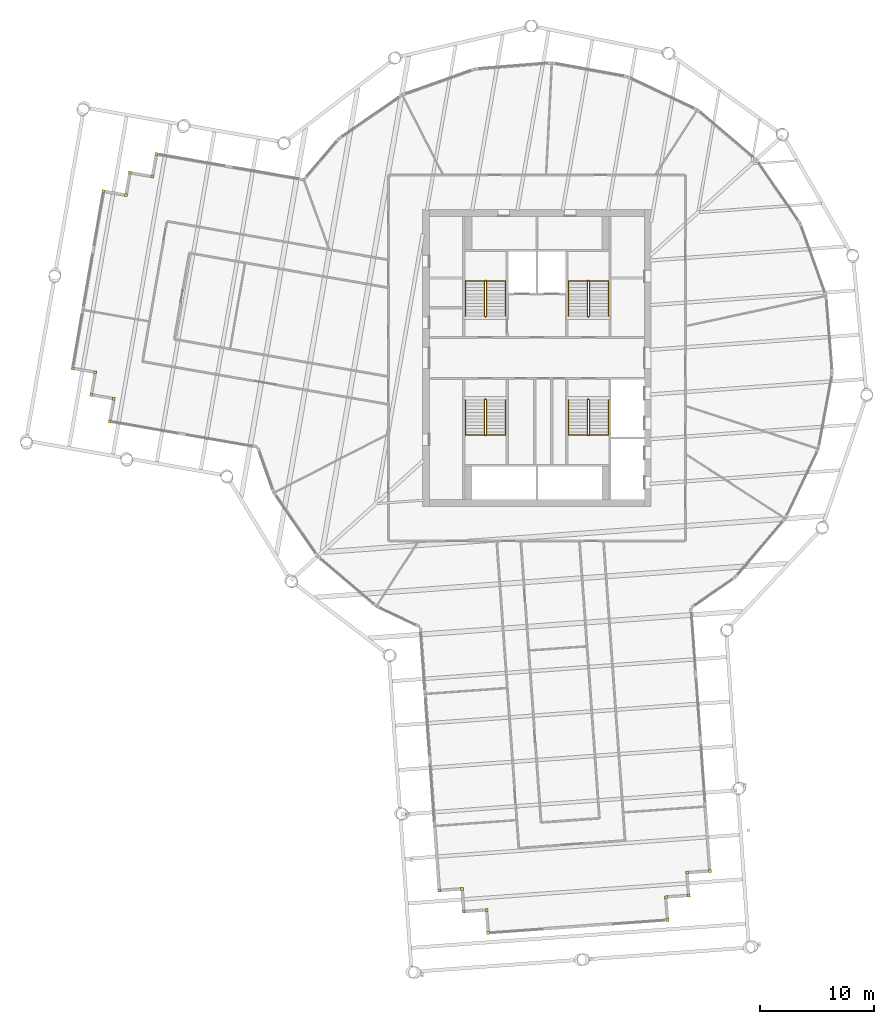
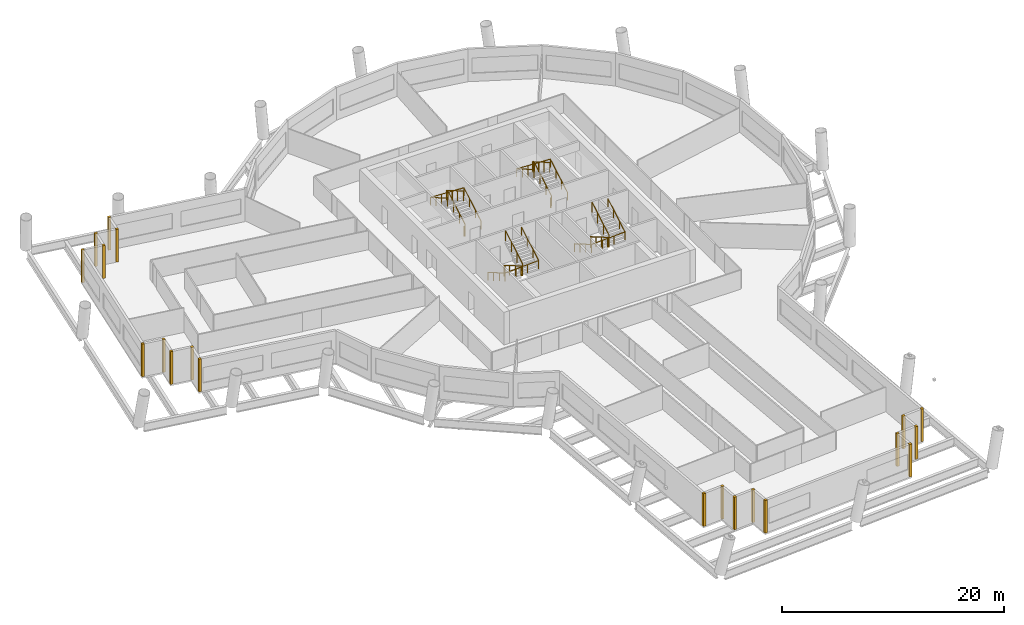
# One storey, part 10 of 11: 20 shading devices, 8 railings.
"""IFC4 building model written with IfcOpenShell, lengths in metres."""

from ifc_helpers import new_model, si_unit, direction, frame, origin, origin_2d, place, context, subcontext, project, spatial, rectangle, circle, extrude, material, type_object, element, save


model = new_model("IFC4")

# Units and contexts
model_context = context("Model", 3, precision=1e-05, world=origin(), true_north=direction((0.0, 1.0)))
body_context = subcontext(model_context, "Body", "Model", "MODEL_VIEW")
ifc_project = project(units=[si_unit("LENGTHUNIT", "METRE"), si_unit("AREAUNIT", "SQUARE_METRE"), si_unit("VOLUMEUNIT", "CUBIC_METRE"), si_unit("PLANEANGLEUNIT", "RADIAN"), si_unit("MASSUNIT", "GRAM", prefix="KILO")], contexts=[model_context])

# Site, building, storey
site_placement = place(None, origin())
site = spatial("IfcSite", under=ifc_project, at=site_placement, CompositionType="ELEMENT")
building_placement = place(site_placement, origin())
building = spatial("IfcBuilding", under=site, at=building_placement, Name="Tarsis Ring Headquarters", CompositionType="ELEMENT")
storey_placement = place(building_placement, frame((0.0, 0.0, 243.300048828125)))
storey = spatial("IfcBuildingStorey", under=building, at=storey_placement, Name="L57", CompositionType="ELEMENT", Elevation=243.300048828125)

# Railings
ifc_material_1 = material(Name="Steel S355", Category="steel")
railing_type_1 = type_object("IfcRailingType", Name="Core stair guard 1100", PredefinedType="GUARDRAIL", material=ifc_material_1)
railing_1_placement = place(storey_placement, frame((-4.5400390625, 3.610107421875, 0.0)))
element("IfcRailing", 1, at=railing_1_placement, inside=storey, type_object=railing_type_1, Name="L57 ST1 stair guard 1", PredefinedType="GUARDRAIL", context=body_context, shape_type="SweptSolid", body=[
    extrude(circle(Radius=0.02392578125, at=origin_2d()), frame((0.0, 0.0, 1.076171875), z_axis=(1.0, 0.0, 0.0), x_axis=(0.0, 1.0, 0.0)), (0.0, 0.0, 1.0), 0.080078125),
    extrude(circle(Radius=0.02392578125, at=origin_2d()), frame((0.080078125, 0.0, 1.076171875), z_axis=(0.282693820306, 0.281314826061, 0.917031173188), x_axis=(-0.705375805398, 0.708833529934, 0.0)), (0.0, 0.0, 1.0), 0.177001953125),
    extrude(circle(Radius=0.02392578125, at=origin_2d()), frame((0.130126953125, 0.0498046875, 1.23828125), z_axis=(0.0, 0.864890721111, 0.501960198159), x_axis=(-1.0, 0.0, 0.0)), (0.0, 0.0, 1.0), 3.561279296875),
    extrude(circle(Radius=0.02392578125, at=origin_2d()), frame((0.130126953125, 3.1298828125, 3.02587890625), z_axis=(-0.707106781187, 0.707106781187, 0.0), x_axis=(-0.707106781187, -0.707106781187, 0.0)), (0.0, 0.0, 1.0), 0.07080078125),
    extrude(circle(Radius=0.02392578125, at=origin_2d()), frame((0.080078125, 3.179931640625, 3.02587890625), z_axis=(-1.0, 0.0, 0.0), x_axis=(0.0, -1.0, 0.0)), (0.0, 0.0, 1.0), 0.080078125),
    extrude(circle(Radius=0.02392578125, at=origin_2d()), frame((0.0, 3.179931640625, 3.02587890625), z_axis=(-0.282227285176, -0.282227285176, 0.916894497205), x_axis=(0.707106781187, -0.707106781187, 0.0)), (0.0, 0.0, 1.0), 0.17724609375),
    extrude(circle(Radius=0.02392578125, at=origin_2d()), frame((-0.050048828125, 3.1298828125, 3.1884765625), z_axis=(0.0, -0.864920483161, 0.501908913857), x_axis=(1.0, 0.0, 0.0)), (0.0, 0.0, 1.0), 3.56103515625),
    extrude(circle(Radius=0.02099609375, at=origin_2d()), origin(), (0.0, 0.0, 1.0), 1.052001953125),
    extrude(circle(Radius=0.02099609375, at=origin_2d()), frame((0.080078125, 0.0, 0.0)), (0.0, 0.0, 1.0), 1.052001953125),
    extrude(circle(Radius=0.02099609375, at=origin_2d()), frame((0.130126953125, 0.0498046875, 0.162353515625)), (0.0, 0.0, 1.0), 1.052001953125),
    extrude(circle(Radius=0.02099609375, at=origin_2d()), frame((0.130126953125, 1.076416015625, 0.75830078125)), (0.0, 0.0, 1.0), 1.052001953125),
    extrude(circle(Radius=0.02099609375, at=origin_2d()), frame((0.130126953125, 2.103271484375, 1.35400390625)), (0.0, 0.0, 1.0), 1.052001953125),
    extrude(circle(Radius=0.02099609375, at=origin_2d()), frame((0.130126953125, 3.1298828125, 1.949951171875)), (0.0, 0.0, 1.0), 1.052001953125),
    extrude(circle(Radius=0.02099609375, at=origin_2d()), frame((0.080078125, 3.179931640625, 1.949951171875)), (0.0, 0.0, 1.0), 1.052001953125),
    extrude(circle(Radius=0.02099609375, at=origin_2d()), frame((0.0, 3.179931640625, 1.949951171875)), (0.0, 0.0, 1.0), 1.052001953125),
    extrude(circle(Radius=0.02099609375, at=origin_2d()), frame((-0.050048828125, 3.1298828125, 2.112548828125)), (0.0, 0.0, 1.0), 1.052001953125),
    extrude(circle(Radius=0.02099609375, at=origin_2d()), frame((-0.050048828125, 2.103271484375, 2.708251953125)), (0.0, 0.0, 1.0), 1.052001953125),
    extrude(circle(Radius=0.02099609375, at=origin_2d()), frame((-0.050048828125, 1.076416015625, 3.30419921875)), (0.0, 0.0, 1.0), 1.052001953125),
    extrude(circle(Radius=0.02099609375, at=origin_2d()), frame((-0.050048828125, 0.0498046875, 3.89990234375)), (0.0, 0.0, 1.0), 1.052001953125),
])
railing_2_placement = place(storey_placement, frame((4.4599609375, 3.610107421875, 0.0)))
element("IfcRailing", 2, at=railing_2_placement, inside=storey, type_object=railing_type_1, Name="L57 ST2 stair guard 1", PredefinedType="GUARDRAIL", context=body_context, shape_type="SweptSolid", body=[
    extrude(circle(Radius=0.02392578125, at=origin_2d()), frame((0.0, 0.0, 1.076171875), z_axis=(1.0, 0.0, 0.0), x_axis=(0.0, 1.0, 0.0)), (0.0, 0.0, 1.0), 0.080078125),
    extrude(circle(Radius=0.02392578125, at=origin_2d()), frame((0.080078125, 0.0, 1.076171875), z_axis=(0.282693820306, 0.281314826061, 0.917031173188), x_axis=(-0.705375805398, 0.708833529934, 0.0)), (0.0, 0.0, 1.0), 0.177001953125),
    extrude(circle(Radius=0.02392578125, at=origin_2d()), frame((0.130126953125, 0.0498046875, 1.23828125), z_axis=(0.0, 0.864890721111, 0.501960198159), x_axis=(-1.0, 0.0, 0.0)), (0.0, 0.0, 1.0), 3.561279296875),
    extrude(circle(Radius=0.02392578125, at=origin_2d()), frame((0.130126953125, 3.1298828125, 3.02587890625), z_axis=(-0.707106781187, 0.707106781187, 0.0), x_axis=(-0.707106781187, -0.707106781187, 0.0)), (0.0, 0.0, 1.0), 0.07080078125),
    extrude(circle(Radius=0.02392578125, at=origin_2d()), frame((0.080078125, 3.179931640625, 3.02587890625), z_axis=(-1.0, 0.0, 0.0), x_axis=(0.0, -1.0, 0.0)), (0.0, 0.0, 1.0), 0.080078125),
    extrude(circle(Radius=0.02392578125, at=origin_2d()), frame((0.0, 3.179931640625, 3.02587890625), z_axis=(-0.282227285176, -0.282227285176, 0.916894497205), x_axis=(0.707106781187, -0.707106781187, 0.0)), (0.0, 0.0, 1.0), 0.17724609375),
    extrude(circle(Radius=0.02392578125, at=origin_2d()), frame((-0.050048828125, 3.1298828125, 3.1884765625), z_axis=(0.0, -0.864920483161, 0.501908913857), x_axis=(1.0, 0.0, 0.0)), (0.0, 0.0, 1.0), 3.56103515625),
    extrude(circle(Radius=0.02099609375, at=origin_2d()), origin(), (0.0, 0.0, 1.0), 1.052001953125),
    extrude(circle(Radius=0.02099609375, at=origin_2d()), frame((0.080078125, 0.0, 0.0)), (0.0, 0.0, 1.0), 1.052001953125),
    extrude(circle(Radius=0.02099609375, at=origin_2d()), frame((0.130126953125, 0.0498046875, 0.162353515625)), (0.0, 0.0, 1.0), 1.052001953125),
    extrude(circle(Radius=0.02099609375, at=origin_2d()), frame((0.130126953125, 1.076416015625, 0.75830078125)), (0.0, 0.0, 1.0), 1.052001953125),
    extrude(circle(Radius=0.02099609375, at=origin_2d()), frame((0.130126953125, 2.103271484375, 1.35400390625)), (0.0, 0.0, 1.0), 1.052001953125),
    extrude(circle(Radius=0.02099609375, at=origin_2d()), frame((0.130126953125, 3.1298828125, 1.949951171875)), (0.0, 0.0, 1.0), 1.052001953125),
    extrude(circle(Radius=0.02099609375, at=origin_2d()), frame((0.080078125, 3.179931640625, 1.949951171875)), (0.0, 0.0, 1.0), 1.052001953125),
    extrude(circle(Radius=0.02099609375, at=origin_2d()), frame((0.0, 3.179931640625, 1.949951171875)), (0.0, 0.0, 1.0), 1.052001953125),
    extrude(circle(Radius=0.02099609375, at=origin_2d()), frame((-0.050048828125, 3.1298828125, 2.112548828125)), (0.0, 0.0, 1.0), 1.052001953125),
    extrude(circle(Radius=0.02099609375, at=origin_2d()), frame((-0.050048828125, 2.103271484375, 2.708251953125)), (0.0, 0.0, 1.0), 1.052001953125),
    extrude(circle(Radius=0.02099609375, at=origin_2d()), frame((-0.050048828125, 1.076416015625, 3.30419921875)), (0.0, 0.0, 1.0), 1.052001953125),
    extrude(circle(Radius=0.02099609375, at=origin_2d()), frame((-0.050048828125, 0.0498046875, 3.89990234375)), (0.0, 0.0, 1.0), 1.052001953125),
])
railing_3_placement = place(storey_placement, frame((-4.4599609375, -3.610107421875, 0.0)))
element("IfcRailing", 3, at=railing_3_placement, inside=storey, type_object=railing_type_1, Name="L57 ST3 stair guard 1", PredefinedType="GUARDRAIL", context=body_context, shape_type="SweptSolid", body=[
    extrude(circle(Radius=0.02392578125, at=origin_2d()), frame((0.0, 0.0, 1.076171875), z_axis=(-1.0, 0.0, 0.0), x_axis=(0.0, -1.0, 0.0)), (0.0, 0.0, 1.0), 0.080078125),
    extrude(circle(Radius=0.02392578125, at=origin_2d()), frame((-0.080078125, 0.0, 1.076171875), z_axis=(-0.282693820306, -0.281314826061, 0.917031173188), x_axis=(0.705375805398, -0.708833529934, 0.0)), (0.0, 0.0, 1.0), 0.177001953125),
    extrude(circle(Radius=0.02392578125, at=origin_2d()), frame((-0.130126953125, -0.0498046875, 1.23828125), z_axis=(0.0, -0.864890721111, 0.501960198159), x_axis=(1.0, 0.0, 0.0)), (0.0, 0.0, 1.0), 3.561279296875),
    extrude(circle(Radius=0.02392578125, at=origin_2d()), frame((-0.130126953125, -3.1298828125, 3.02587890625), z_axis=(0.707106781187, -0.707106781187, 0.0), x_axis=(0.707106781187, 0.707106781187, 0.0)), (0.0, 0.0, 1.0), 0.07080078125),
    extrude(circle(Radius=0.02392578125, at=origin_2d()), frame((-0.080078125, -3.179931640625, 3.02587890625), z_axis=(1.0, 0.0, 0.0), x_axis=(0.0, 1.0, 0.0)), (0.0, 0.0, 1.0), 0.080078125),
    extrude(circle(Radius=0.02392578125, at=origin_2d()), frame((0.0, -3.179931640625, 3.02587890625), z_axis=(0.282227285176, 0.282227285176, 0.916894497205), x_axis=(-0.707106781187, 0.707106781187, 0.0)), (0.0, 0.0, 1.0), 0.17724609375),
    extrude(circle(Radius=0.02392578125, at=origin_2d()), frame((0.050048828125, -3.1298828125, 3.1884765625), z_axis=(0.0, 0.864920483161, 0.501908913857), x_axis=(-1.0, 0.0, 0.0)), (0.0, 0.0, 1.0), 3.56103515625),
    extrude(circle(Radius=0.02099609375, at=origin_2d()), origin(), (0.0, 0.0, 1.0), 1.052001953125),
    extrude(circle(Radius=0.02099609375, at=origin_2d()), frame((-0.080078125, 0.0, 0.0)), (0.0, 0.0, 1.0), 1.052001953125),
    extrude(circle(Radius=0.02099609375, at=origin_2d()), frame((-0.130126953125, -0.0498046875, 0.162353515625)), (0.0, 0.0, 1.0), 1.052001953125),
    extrude(circle(Radius=0.02099609375, at=origin_2d()), frame((-0.130126953125, -1.076416015625, 0.75830078125)), (0.0, 0.0, 1.0), 1.052001953125),
    extrude(circle(Radius=0.02099609375, at=origin_2d()), frame((-0.130126953125, -2.103271484375, 1.35400390625)), (0.0, 0.0, 1.0), 1.052001953125),
    extrude(circle(Radius=0.02099609375, at=origin_2d()), frame((-0.130126953125, -3.1298828125, 1.949951171875)), (0.0, 0.0, 1.0), 1.052001953125),
    extrude(circle(Radius=0.02099609375, at=origin_2d()), frame((-0.080078125, -3.179931640625, 1.949951171875)), (0.0, 0.0, 1.0), 1.052001953125),
    extrude(circle(Radius=0.02099609375, at=origin_2d()), frame((0.0, -3.179931640625, 1.949951171875)), (0.0, 0.0, 1.0), 1.052001953125),
    extrude(circle(Radius=0.02099609375, at=origin_2d()), frame((0.050048828125, -3.1298828125, 2.112548828125)), (0.0, 0.0, 1.0), 1.052001953125),
    extrude(circle(Radius=0.02099609375, at=origin_2d()), frame((0.050048828125, -2.103271484375, 2.708251953125)), (0.0, 0.0, 1.0), 1.052001953125),
    extrude(circle(Radius=0.02099609375, at=origin_2d()), frame((0.050048828125, -1.076416015625, 3.30419921875)), (0.0, 0.0, 1.0), 1.052001953125),
    extrude(circle(Radius=0.02099609375, at=origin_2d()), frame((0.050048828125, -0.0498046875, 3.89990234375)), (0.0, 0.0, 1.0), 1.052001953125),
])
railing_4_placement = place(storey_placement, frame((4.5400390625, -3.610107421875, 0.0)))
element("IfcRailing", 4, at=railing_4_placement, inside=storey, type_object=railing_type_1, Name="L57 ST4 stair guard 1", PredefinedType="GUARDRAIL", context=body_context, shape_type="SweptSolid", body=[
    extrude(circle(Radius=0.02392578125, at=origin_2d()), frame((0.0, 0.0, 1.076171875), z_axis=(-1.0, 0.0, 0.0), x_axis=(0.0, -1.0, 0.0)), (0.0, 0.0, 1.0), 0.080078125),
    extrude(circle(Radius=0.02392578125, at=origin_2d()), frame((-0.080078125, 0.0, 1.076171875), z_axis=(-0.282693820306, -0.281314826061, 0.917031173188), x_axis=(0.705375805398, -0.708833529934, 0.0)), (0.0, 0.0, 1.0), 0.177001953125),
    extrude(circle(Radius=0.02392578125, at=origin_2d()), frame((-0.130126953125, -0.0498046875, 1.23828125), z_axis=(0.0, -0.864890721111, 0.501960198159), x_axis=(1.0, 0.0, 0.0)), (0.0, 0.0, 1.0), 3.561279296875),
    extrude(circle(Radius=0.02392578125, at=origin_2d()), frame((-0.130126953125, -3.1298828125, 3.02587890625), z_axis=(0.707106781187, -0.707106781187, 0.0), x_axis=(0.707106781187, 0.707106781187, 0.0)), (0.0, 0.0, 1.0), 0.07080078125),
    extrude(circle(Radius=0.02392578125, at=origin_2d()), frame((-0.080078125, -3.179931640625, 3.02587890625), z_axis=(1.0, 0.0, 0.0), x_axis=(0.0, 1.0, 0.0)), (0.0, 0.0, 1.0), 0.080078125),
    extrude(circle(Radius=0.02392578125, at=origin_2d()), frame((0.0, -3.179931640625, 3.02587890625), z_axis=(0.282227285176, 0.282227285176, 0.916894497205), x_axis=(-0.707106781187, 0.707106781187, 0.0)), (0.0, 0.0, 1.0), 0.17724609375),
    extrude(circle(Radius=0.02392578125, at=origin_2d()), frame((0.050048828125, -3.1298828125, 3.1884765625), z_axis=(0.0, 0.864920483161, 0.501908913857), x_axis=(-1.0, 0.0, 0.0)), (0.0, 0.0, 1.0), 3.56103515625),
    extrude(circle(Radius=0.02099609375, at=origin_2d()), origin(), (0.0, 0.0, 1.0), 1.052001953125),
    extrude(circle(Radius=0.02099609375, at=origin_2d()), frame((-0.080078125, 0.0, 0.0)), (0.0, 0.0, 1.0), 1.052001953125),
    extrude(circle(Radius=0.02099609375, at=origin_2d()), frame((-0.130126953125, -0.0498046875, 0.162353515625)), (0.0, 0.0, 1.0), 1.052001953125),
    extrude(circle(Radius=0.02099609375, at=origin_2d()), frame((-0.130126953125, -1.076416015625, 0.75830078125)), (0.0, 0.0, 1.0), 1.052001953125),
    extrude(circle(Radius=0.02099609375, at=origin_2d()), frame((-0.130126953125, -2.103271484375, 1.35400390625)), (0.0, 0.0, 1.0), 1.052001953125),
    extrude(circle(Radius=0.02099609375, at=origin_2d()), frame((-0.130126953125, -3.1298828125, 1.949951171875)), (0.0, 0.0, 1.0), 1.052001953125),
    extrude(circle(Radius=0.02099609375, at=origin_2d()), frame((-0.080078125, -3.179931640625, 1.949951171875)), (0.0, 0.0, 1.0), 1.052001953125),
    extrude(circle(Radius=0.02099609375, at=origin_2d()), frame((0.0, -3.179931640625, 1.949951171875)), (0.0, 0.0, 1.0), 1.052001953125),
    extrude(circle(Radius=0.02099609375, at=origin_2d()), frame((0.050048828125, -3.1298828125, 2.112548828125)), (0.0, 0.0, 1.0), 1.052001953125),
    extrude(circle(Radius=0.02099609375, at=origin_2d()), frame((0.050048828125, -2.103271484375, 2.708251953125)), (0.0, 0.0, 1.0), 1.052001953125),
    extrude(circle(Radius=0.02099609375, at=origin_2d()), frame((0.050048828125, -1.076416015625, 3.30419921875)), (0.0, 0.0, 1.0), 1.052001953125),
    extrude(circle(Radius=0.02099609375, at=origin_2d()), frame((0.050048828125, -0.0498046875, 3.89990234375)), (0.0, 0.0, 1.0), 1.052001953125),
])
railing_type_2 = type_object("IfcRailingType", Name="Core stair handrail 900", PredefinedType="HANDRAIL", material=ifc_material_1)
railing_5_placement = place(storey_placement, frame((-2.75, 3.659912109375, 0.162353515625)))
element("IfcRailing", 5, at=railing_5_placement, inside=storey, type_object=railing_type_2, Name="L57 ST1 stair handrail 1", PredefinedType="HANDRAIL", context=body_context, shape_type="SweptSolid", body=[
    extrude(circle(Radius=0.02392578125, at=origin_2d()), frame((0.0, 0.0, 0.8759765625), z_axis=(0.0, 0.864890721111, 0.501960198159), x_axis=(-1.0, 0.0, 0.0)), (0.0, 0.0, 1.0), 3.561279296875),
    extrude(circle(Radius=0.02392578125, at=origin_2d()), frame((0.0, 3.080078125, 2.66357421875), z_axis=(-0.998922641604, 0.0, 0.046406422943), x_axis=(0.0, -1.0, 0.0)), (0.0, 0.0, 1.0), 3.503662109375),
    extrude(circle(Radius=0.02392578125, at=origin_2d()), frame((-3.5, 3.080078125, 2.826171875), z_axis=(0.0, -0.864920483161, 0.501908913857), x_axis=(1.0, 0.0, 0.0)), (0.0, 0.0, 1.0), 3.56103515625),
    extrude(circle(Radius=0.02099609375, at=origin_2d()), origin(), (0.0, 0.0, 1.0), 0.851806640625),
    extrude(circle(Radius=0.02099609375, at=origin_2d()), frame((0.0, 1.026611328125, 0.595947265625)), (0.0, 0.0, 1.0), 0.851806640625),
    extrude(circle(Radius=0.02099609375, at=origin_2d()), frame((0.0, 2.053466796875, 1.191650390625)), (0.0, 0.0, 1.0), 0.851806640625),
    extrude(circle(Radius=0.02099609375, at=origin_2d()), frame((0.0, 3.080078125, 1.78759765625)), (0.0, 0.0, 1.0), 0.851806640625),
    extrude(circle(Radius=0.02099609375, at=origin_2d()), frame((-1.166748046875, 3.080078125, 1.841796875)), (0.0, 0.0, 1.0), 0.851806640625),
    extrude(circle(Radius=0.02099609375, at=origin_2d()), frame((-2.333251953125, 3.080078125, 1.89599609375)), (0.0, 0.0, 1.0), 0.851806640625),
    extrude(circle(Radius=0.02099609375, at=origin_2d()), frame((-3.5, 3.080078125, 1.9501953125)), (0.0, 0.0, 1.0), 0.851806640625),
    extrude(circle(Radius=0.02099609375, at=origin_2d()), frame((-3.5, 2.053466796875, 2.5458984375)), (0.0, 0.0, 1.0), 0.851806640625),
    extrude(circle(Radius=0.02099609375, at=origin_2d()), frame((-3.5, 1.026611328125, 3.141845703125)), (0.0, 0.0, 1.0), 0.851806640625),
    extrude(circle(Radius=0.02099609375, at=origin_2d()), frame((-3.5, 0.0, 3.737548828125)), (0.0, 0.0, 1.0), 0.851806640625),
])
railing_6_placement = place(storey_placement, frame((6.25, 3.659912109375, 0.162353515625)))
element("IfcRailing", 6, at=railing_6_placement, inside=storey, type_object=railing_type_2, Name="L57 ST2 stair handrail 1", PredefinedType="HANDRAIL", context=body_context, shape_type="SweptSolid", body=[
    extrude(circle(Radius=0.02392578125, at=origin_2d()), frame((0.0, 0.0, 0.8759765625), z_axis=(0.0, 0.864890721111, 0.501960198159), x_axis=(-1.0, 0.0, 0.0)), (0.0, 0.0, 1.0), 3.561279296875),
    extrude(circle(Radius=0.02392578125, at=origin_2d()), frame((0.0, 3.080078125, 2.66357421875), z_axis=(-0.998922641604, 0.0, 0.046406422943), x_axis=(0.0, -1.0, 0.0)), (0.0, 0.0, 1.0), 3.503662109375),
    extrude(circle(Radius=0.02392578125, at=origin_2d()), frame((-3.5, 3.080078125, 2.826171875), z_axis=(0.0, -0.864920483161, 0.501908913857), x_axis=(1.0, 0.0, 0.0)), (0.0, 0.0, 1.0), 3.56103515625),
    extrude(circle(Radius=0.02099609375, at=origin_2d()), origin(), (0.0, 0.0, 1.0), 0.851806640625),
    extrude(circle(Radius=0.02099609375, at=origin_2d()), frame((0.0, 1.026611328125, 0.595947265625)), (0.0, 0.0, 1.0), 0.851806640625),
    extrude(circle(Radius=0.02099609375, at=origin_2d()), frame((0.0, 2.053466796875, 1.191650390625)), (0.0, 0.0, 1.0), 0.851806640625),
    extrude(circle(Radius=0.02099609375, at=origin_2d()), frame((0.0, 3.080078125, 1.78759765625)), (0.0, 0.0, 1.0), 0.851806640625),
    extrude(circle(Radius=0.02099609375, at=origin_2d()), frame((-1.166748046875, 3.080078125, 1.841796875)), (0.0, 0.0, 1.0), 0.851806640625),
    extrude(circle(Radius=0.02099609375, at=origin_2d()), frame((-2.333251953125, 3.080078125, 1.89599609375)), (0.0, 0.0, 1.0), 0.851806640625),
    extrude(circle(Radius=0.02099609375, at=origin_2d()), frame((-3.5, 3.080078125, 1.9501953125)), (0.0, 0.0, 1.0), 0.851806640625),
    extrude(circle(Radius=0.02099609375, at=origin_2d()), frame((-3.5, 2.053466796875, 2.5458984375)), (0.0, 0.0, 1.0), 0.851806640625),
    extrude(circle(Radius=0.02099609375, at=origin_2d()), frame((-3.5, 1.026611328125, 3.141845703125)), (0.0, 0.0, 1.0), 0.851806640625),
    extrude(circle(Radius=0.02099609375, at=origin_2d()), frame((-3.5, 0.0, 3.737548828125)), (0.0, 0.0, 1.0), 0.851806640625),
])
railing_7_placement = place(storey_placement, frame((-6.25, -3.659912109375, 0.162353515625)))
element("IfcRailing", 7, at=railing_7_placement, inside=storey, type_object=railing_type_2, Name="L57 ST3 stair handrail 1", PredefinedType="HANDRAIL", context=body_context, shape_type="SweptSolid", body=[
    extrude(circle(Radius=0.02392578125, at=origin_2d()), frame((0.0, 0.0, 0.8759765625), z_axis=(0.0, -0.864890721111, 0.501960198159), x_axis=(1.0, 0.0, 0.0)), (0.0, 0.0, 1.0), 3.561279296875),
    extrude(circle(Radius=0.02392578125, at=origin_2d()), frame((0.0, -3.080078125, 2.66357421875), z_axis=(0.998922641604, 0.0, 0.046406422943), x_axis=(0.0, 1.0, 0.0)), (0.0, 0.0, 1.0), 3.503662109375),
    extrude(circle(Radius=0.02392578125, at=origin_2d()), frame((3.5, -3.080078125, 2.826171875), z_axis=(0.0, 0.864920483161, 0.501908913857), x_axis=(-1.0, 0.0, 0.0)), (0.0, 0.0, 1.0), 3.56103515625),
    extrude(circle(Radius=0.02099609375, at=origin_2d()), origin(), (0.0, 0.0, 1.0), 0.851806640625),
    extrude(circle(Radius=0.02099609375, at=origin_2d()), frame((0.0, -1.026611328125, 0.595947265625)), (0.0, 0.0, 1.0), 0.851806640625),
    extrude(circle(Radius=0.02099609375, at=origin_2d()), frame((0.0, -2.053466796875, 1.191650390625)), (0.0, 0.0, 1.0), 0.851806640625),
    extrude(circle(Radius=0.02099609375, at=origin_2d()), frame((0.0, -3.080078125, 1.78759765625)), (0.0, 0.0, 1.0), 0.851806640625),
    extrude(circle(Radius=0.02099609375, at=origin_2d()), frame((1.166748046875, -3.080078125, 1.841796875)), (0.0, 0.0, 1.0), 0.851806640625),
    extrude(circle(Radius=0.02099609375, at=origin_2d()), frame((2.333251953125, -3.080078125, 1.89599609375)), (0.0, 0.0, 1.0), 0.851806640625),
    extrude(circle(Radius=0.02099609375, at=origin_2d()), frame((3.5, -3.080078125, 1.9501953125)), (0.0, 0.0, 1.0), 0.851806640625),
    extrude(circle(Radius=0.02099609375, at=origin_2d()), frame((3.5, -2.053466796875, 2.5458984375)), (0.0, 0.0, 1.0), 0.851806640625),
    extrude(circle(Radius=0.02099609375, at=origin_2d()), frame((3.5, -1.026611328125, 3.141845703125)), (0.0, 0.0, 1.0), 0.851806640625),
    extrude(circle(Radius=0.02099609375, at=origin_2d()), frame((3.5, 0.0, 3.737548828125)), (0.0, 0.0, 1.0), 0.851806640625),
])
railing_8_placement = place(storey_placement, frame((2.75, -3.659912109375, 0.162353515625)))
element("IfcRailing", 8, at=railing_8_placement, inside=storey, type_object=railing_type_2, Name="L57 ST4 stair handrail 1", PredefinedType="HANDRAIL", context=body_context, shape_type="SweptSolid", body=[
    extrude(circle(Radius=0.02392578125, at=origin_2d()), frame((0.0, 0.0, 0.8759765625), z_axis=(0.0, -0.864890721111, 0.501960198159), x_axis=(1.0, 0.0, 0.0)), (0.0, 0.0, 1.0), 3.561279296875),
    extrude(circle(Radius=0.02392578125, at=origin_2d()), frame((0.0, -3.080078125, 2.66357421875), z_axis=(0.998922641604, 0.0, 0.046406422943), x_axis=(0.0, 1.0, 0.0)), (0.0, 0.0, 1.0), 3.503662109375),
    extrude(circle(Radius=0.02392578125, at=origin_2d()), frame((3.5, -3.080078125, 2.826171875), z_axis=(0.0, 0.864920483161, 0.501908913857), x_axis=(-1.0, 0.0, 0.0)), (0.0, 0.0, 1.0), 3.56103515625),
    extrude(circle(Radius=0.02099609375, at=origin_2d()), origin(), (0.0, 0.0, 1.0), 0.851806640625),
    extrude(circle(Radius=0.02099609375, at=origin_2d()), frame((0.0, -1.026611328125, 0.595947265625)), (0.0, 0.0, 1.0), 0.851806640625),
    extrude(circle(Radius=0.02099609375, at=origin_2d()), frame((0.0, -2.053466796875, 1.191650390625)), (0.0, 0.0, 1.0), 0.851806640625),
    extrude(circle(Radius=0.02099609375, at=origin_2d()), frame((0.0, -3.080078125, 1.78759765625)), (0.0, 0.0, 1.0), 0.851806640625),
    extrude(circle(Radius=0.02099609375, at=origin_2d()), frame((1.166748046875, -3.080078125, 1.841796875)), (0.0, 0.0, 1.0), 0.851806640625),
    extrude(circle(Radius=0.02099609375, at=origin_2d()), frame((2.333251953125, -3.080078125, 1.89599609375)), (0.0, 0.0, 1.0), 0.851806640625),
    extrude(circle(Radius=0.02099609375, at=origin_2d()), frame((3.5, -3.080078125, 1.9501953125)), (0.0, 0.0, 1.0), 0.851806640625),
    extrude(circle(Radius=0.02099609375, at=origin_2d()), frame((3.5, -2.053466796875, 2.5458984375)), (0.0, 0.0, 1.0), 0.851806640625),
    extrude(circle(Radius=0.02099609375, at=origin_2d()), frame((3.5, -1.026611328125, 3.141845703125)), (0.0, 0.0, 1.0), 0.851806640625),
    extrude(circle(Radius=0.02099609375, at=origin_2d()), frame((3.5, 0.0, 3.737548828125)), (0.0, 0.0, 1.0), 0.851806640625),
])

# Shading devices
ifc_material_2 = material(Name="Terracotta baguette", Category="masonry")
shading_device_type = type_object("IfcShadingDeviceType", Name="Terracotta corner baguette 250x250", PredefinedType="USERDEFINED", material=ifc_material_2)
for number, where, z_axis, x_axis, name in (
    (9, (-37.380615234375, -5.543212890625, 0.0), (0.0, 0.0, 1.0), (-0.17158496387, -0.985169325636, 0.0), "Corner baguette L57-01"),
    (10, (-8.54833984375, -46.609619140625, 0.0), (0.0, 0.0, 1.0), (0.071845595077, -0.997415766102, 0.0), "Corner baguette L57-07"),
    (11, (-6.553466796875, -46.4658203125, 0.0), (0.0, 0.0, 1.0), (0.997415738515, 0.071845978057, 0.0), "Corner baguette L57-08"),
    (12, (-6.409912109375, -48.460693359375, 0.0), (0.0, 0.0, 1.0), (0.071845525444, -0.997415771117, 0.0), "Corner baguette L57-09"),
    (13, (-4.4150390625, -48.317138671875, 0.0), (0.0, 0.0, 1.0), (0.997415771117, 0.071845525444, 0.0), "Corner baguette L57-10"),
    (14, (-4.271240234375, -50.31201171875, 0.0), (0.0, 0.0, 1.0), (0.071845490628, -0.997415773625, 0.0), "Corner baguette L57-11"),
    (15, (11.43798828125, -49.180419921875, 0.0), (0.0, 0.0, 1.0), (0.997415763594, 0.071845629893, 0.0), "Corner baguette L57-12"),
    (16, (11.294189453125, -47.185546875, 0.0), (0.0, 0.0, 1.0), (-0.071845525444, 0.997415771117, 0.0), "Corner baguette L57-13"),
    (17, (13.2890625, -47.041748046875, 0.0), (0.0, 0.0, 1.0), (0.997415738515, 0.071845978057, 0.0), "Corner baguette L57-14"),
    (18, (13.1455078125, -45.046875, 0.0), (0.0, 0.0, 1.0), (-0.071845525444, 0.997415771117, 0.0), "Corner baguette L57-15"),
    (19, (15.14013671875, -44.9033203125, 0.0), (0.0, 0.0, 1.0), (0.997415771117, 0.071845525444, 0.0), "Corner baguette L57-16"),
    (20, (-33.305419921875, 17.8544921875, 0.0), (0.0, 0.0, 1.0), (-0.985169280715, 0.171585221787, 0.0), "Corner baguette L57-32"),
    (21, (-33.6484375, 15.88427734375, 0.0), (0.0, 0.0, 1.0), (-0.17158496387, -0.985169325636, 0.0), "Corner baguette L57-33"),
    (22, (-35.618896484375, 16.227294921875, 0.0), (0.0, 0.0, 1.0), (-0.985169325636, 0.17158496387, 0.0), "Corner baguette L57-34"),
    (23, (-35.962158203125, 14.257080078125, 0.0), (0.0, 0.0, 1.0), (-0.17158496387, -0.985169325636, 0.0), "Corner baguette L57-35"),
    (24, (-37.932373046875, 14.60009765625, 0.0), (0.0, 0.0, 1.0), (-0.985169238789, 0.171585462509, 0.0), "Corner baguette L57-36"),
    (25, (-40.634765625, -0.916259765625, 0.0), (0.0, 0.0, 1.0), (-0.171585187398, -0.985169286704, 0.0), "Corner baguette L57-37"),
    (26, (-38.66455078125, -1.259521484375, 0.0), (0.0, 0.0, 1.0), (0.985169325636, -0.17158496387, 0.0), "Corner baguette L57-38"),
    (27, (-39.0078125, -3.229736328125, 0.0), (0.0, 0.0, 1.0), (-0.171585462509, -0.985169238789, 0.0), "Corner baguette L57-39"),
    (28, (-37.037353515625, -3.572998046875, 0.0), (0.0, 0.0, 1.0), (0.985169325636, -0.17158496387, 0.0), "Corner baguette L57-40"),
):
    element("IfcShadingDevice", number, at=place(storey_placement, frame(where, z_axis=z_axis, x_axis=x_axis)), inside=storey, type_object=shading_device_type, Name=name, ObjectType="Terracotta corner baguette", PredefinedType="USERDEFINED", context=body_context, shape_type="SweptSolid", body=[
        extrude(rectangle(XDim=0.25, YDim=0.25, at=origin_2d()), origin(), (0.0, 0.0, 1.0), 3.60009765625),
    ])

save(model, "model.ifc")
